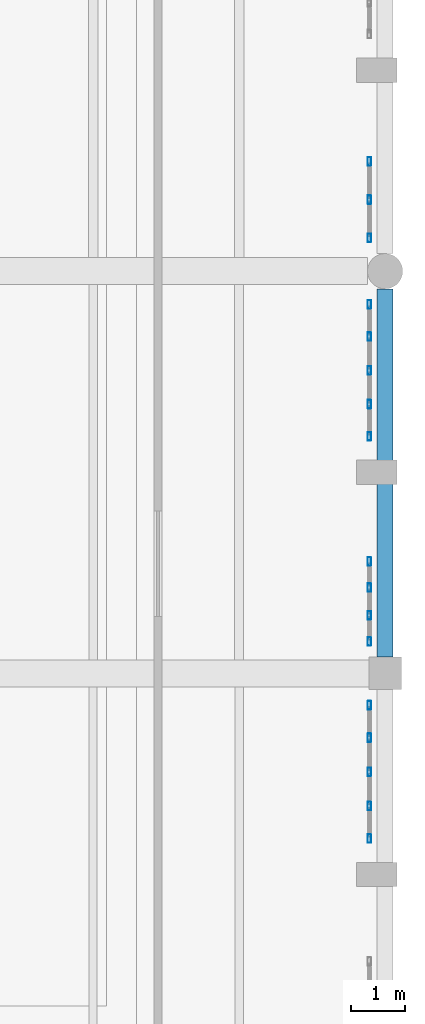
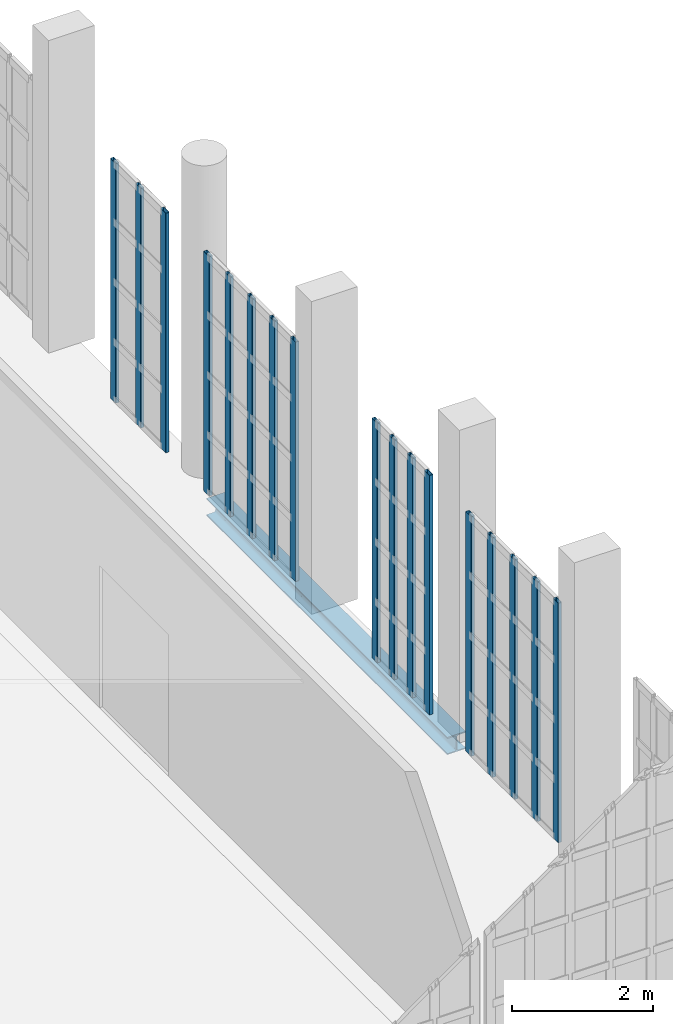
# One storey, part 286 of 372: 17 members, 1 beam, 4 elements without a shape of their own.
"""IFC4 building model written with IfcOpenShell, lengths in metres."""

from ifc_helpers import new_model, si_unit, direction, frame, origin, origin_2d, place, context, subcontext, project, spatial, hollow_rectangle, i_section, extrude, material, material_profile, profile_set, type_object, element, aggregate, save


model = new_model("IFC4")

# Units and contexts
model_context = context("Model", 3, precision=1e-05, world=origin(), true_north=direction((0.0, 1.0)))
body_context = subcontext(model_context, "Body", "Model", "MODEL_VIEW")
ifc_project = project(units=[si_unit("LENGTHUNIT", "METRE"), si_unit("AREAUNIT", "SQUARE_METRE"), si_unit("VOLUMEUNIT", "CUBIC_METRE"), si_unit("PLANEANGLEUNIT", "RADIAN"), si_unit("MASSUNIT", "GRAM", prefix="KILO")], contexts=[model_context])

# Site, building, storey
site_placement = place(None, origin())
site = spatial("IfcSite", under=ifc_project, at=site_placement, CompositionType="ELEMENT")
building_placement = place(site_placement, origin())
building = spatial("IfcBuilding", under=site, at=building_placement, Name="Kaelora Sail Theatre", CompositionType="ELEMENT")
storey_placement = place(building_placement, origin())
storey = spatial("IfcBuildingStorey", under=building, at=storey_placement, Name="L00", CompositionType="ELEMENT", Elevation=0.0)

# Curtain wall, members
ifc_material_1 = material(Name="Anodised aluminium and solar-control low-E IGU", Category="aluminium")
curtain_wall_type = type_object("IfcCurtainWallType", Name="ARC-CW-CW-FOY1", PredefinedType="NOTDEFINED", material=ifc_material_1)
curtain_wall_1_placement = place(storey_placement, origin())
curtain_wall_1 = element("IfcCurtainWall", 1, at=curtain_wall_1_placement, inside=storey, type_object=curtain_wall_type, Name="Glazed Colonnade/Courtyard Curtain Wall COLE-E-L00-03", PredefinedType="NOTDEFINED")
ifc_material_2 = material(Name="Anodised aluminium 6063-T6", Category="aluminium")
ifc_material_profile_1 = material_profile(ifc_material_2, hollow_rectangle(XDim=0.06005859375, YDim=0.159912109375, WallThickness=0.00390625, InnerFilletRadius=0.00390625, OuterFilletRadius=0.008056640625, at=origin_2d()), Name="ALU-MULL 60x160x4")
ifc_profile_set_1 = profile_set([ifc_material_profile_1], Name="Anodised aluminium 6063-T6")
member_type = type_object("IfcMemberType", Name="ARC-MEM-ML-160", PredefinedType="MULLION", material=ifc_profile_set_1)
member_1_placement = place(storey_placement, frame((163.2099609375, 35.64501953125, 0.0), z_axis=(0.0, 0.0, 1.0), x_axis=(-1.0, 0.0, 0.0)))
member_1 = element("IfcMember", 2, at=member_1_placement, type_object=member_type, Name="CW-FOY1 mullion 1", PredefinedType="MULLION", context=body_context, shape_type="SweptSolid", body=[
    extrude(hollow_rectangle(XDim=0.06005859375, YDim=0.159912109375, WallThickness=0.00390625, InnerFilletRadius=0.00390625, OuterFilletRadius=0.008056640625, at=origin_2d()), origin(), (0.0, 0.0, 1.0), 4.136962890625),
])
member_2_placement = place(storey_placement, frame((163.2099609375, 36.246337890625, 0.0), z_axis=(0.0, 0.0, 1.0), x_axis=(-1.0, 0.0, 0.0)))
member_2 = element("IfcMember", 3, at=member_2_placement, type_object=member_type, Name="CW-FOY1 mullion 2", PredefinedType="MULLION", context=body_context, shape_type="SweptSolid", body=[
    extrude(hollow_rectangle(XDim=0.06005859375, YDim=0.159912109375, WallThickness=0.00390625, InnerFilletRadius=0.00390625, OuterFilletRadius=0.008056640625, at=origin_2d()), origin(), (0.0, 0.0, 1.0), 4.136962890625),
])
member_3_placement = place(storey_placement, frame((163.2099609375, 36.87744140625, 0.0), z_axis=(0.0, 0.0, 1.0), x_axis=(-1.0, 0.0, 0.0)))
member_3 = element("IfcMember", 4, at=member_3_placement, type_object=member_type, Name="CW-FOY1 mullion 3", PredefinedType="MULLION", context=body_context, shape_type="SweptSolid", body=[
    extrude(hollow_rectangle(XDim=0.06005859375, YDim=0.159912109375, WallThickness=0.00390625, InnerFilletRadius=0.00390625, OuterFilletRadius=0.008056640625, at=origin_2d()), origin(), (0.0, 0.0, 1.0), 4.136962890625),
])
member_4_placement = place(storey_placement, frame((163.2099609375, 37.5087890625, 0.0), z_axis=(0.0, 0.0, 1.0), x_axis=(-1.0, 0.0, 0.0)))
member_4 = element("IfcMember", 5, at=member_4_placement, type_object=member_type, Name="CW-FOY1 mullion 4", PredefinedType="MULLION", context=body_context, shape_type="SweptSolid", body=[
    extrude(hollow_rectangle(XDim=0.06005859375, YDim=0.159912109375, WallThickness=0.00390625, InnerFilletRadius=0.00390625, OuterFilletRadius=0.008056640625, at=origin_2d()), origin(), (0.0, 0.0, 1.0), 4.136962890625),
])
member_5_placement = place(storey_placement, frame((163.2099609375, 38.110107421875, 0.0), z_axis=(0.0, 0.0, 1.0), x_axis=(-1.0, 0.0, 0.0)))
member_5 = element("IfcMember", 6, at=member_5_placement, type_object=member_type, Name="CW-FOY1 mullion 5", PredefinedType="MULLION", context=body_context, shape_type="SweptSolid", body=[
    extrude(hollow_rectangle(XDim=0.06005859375, YDim=0.159912109375, WallThickness=0.00390625, InnerFilletRadius=0.00390625, OuterFilletRadius=0.008056640625, at=origin_2d()), origin(), (0.0, 0.0, 1.0), 4.136962890625),
])
aggregate(curtain_wall_1, [member_1, member_2, member_3, member_4, member_5])

curtain_wall_2_placement = place(storey_placement, origin())
curtain_wall_2 = element("IfcCurtainWall", 7, at=curtain_wall_2_placement, inside=storey, type_object=curtain_wall_type, Name="Glazed Colonnade/Courtyard Curtain Wall COLE-E-L00-04", PredefinedType="NOTDEFINED")
member_6_placement = place(storey_placement, frame((163.2099609375, 39.2900390625, 0.0), z_axis=(0.0, 0.0, 1.0), x_axis=(-1.0, 0.0, 0.0)))
member_6 = element("IfcMember", 8, at=member_6_placement, type_object=member_type, Name="CW-FOY1 mullion 1", PredefinedType="MULLION", context=body_context, shape_type="SweptSolid", body=[
    extrude(hollow_rectangle(XDim=0.06005859375, YDim=0.159912109375, WallThickness=0.00390625, InnerFilletRadius=0.00390625, OuterFilletRadius=0.008056640625, at=origin_2d()), origin(), (0.0, 0.0, 1.0), 4.136962890625),
])
member_7_placement = place(storey_placement, frame((163.2099609375, 39.7734375, 0.0), z_axis=(0.0, 0.0, 1.0), x_axis=(-1.0, 0.0, 0.0)))
member_7 = element("IfcMember", 9, at=member_7_placement, type_object=member_type, Name="CW-FOY1 mullion 2", PredefinedType="MULLION", context=body_context, shape_type="SweptSolid", body=[
    extrude(hollow_rectangle(XDim=0.06005859375, YDim=0.159912109375, WallThickness=0.00390625, InnerFilletRadius=0.00390625, OuterFilletRadius=0.008056640625, at=origin_2d()), origin(), (0.0, 0.0, 1.0), 4.136962890625),
])
member_8_placement = place(storey_placement, frame((163.2099609375, 40.28662109375, 0.0), z_axis=(0.0, 0.0, 1.0), x_axis=(-1.0, 0.0, 0.0)))
member_8 = element("IfcMember", 10, at=member_8_placement, type_object=member_type, Name="CW-FOY1 mullion 3", PredefinedType="MULLION", context=body_context, shape_type="SweptSolid", body=[
    extrude(hollow_rectangle(XDim=0.06005859375, YDim=0.159912109375, WallThickness=0.00390625, InnerFilletRadius=0.00390625, OuterFilletRadius=0.008056640625, at=origin_2d()), origin(), (0.0, 0.0, 1.0), 4.136962890625),
])
member_9_placement = place(storey_placement, frame((163.2099609375, 40.77001953125, 0.0), z_axis=(0.0, 0.0, 1.0), x_axis=(-1.0, 0.0, 0.0)))
member_9 = element("IfcMember", 11, at=member_9_placement, type_object=member_type, Name="CW-FOY1 mullion 4", PredefinedType="MULLION", context=body_context, shape_type="SweptSolid", body=[
    extrude(hollow_rectangle(XDim=0.06005859375, YDim=0.159912109375, WallThickness=0.00390625, InnerFilletRadius=0.00390625, OuterFilletRadius=0.008056640625, at=origin_2d()), origin(), (0.0, 0.0, 1.0), 4.136962890625),
])
aggregate(curtain_wall_2, [member_6, member_7, member_8, member_9])

curtain_wall_3_placement = place(storey_placement, origin())
curtain_wall_3 = element("IfcCurtainWall", 12, at=curtain_wall_3_placement, inside=storey, type_object=curtain_wall_type, Name="Glazed Colonnade/Courtyard Curtain Wall COLE-E-L00-06", PredefinedType="NOTDEFINED")
member_10_placement = place(storey_placement, frame((163.2099609375, 43.0849609375, 0.0), z_axis=(0.0, 0.0, 1.0), x_axis=(-1.0, 0.0, 0.0)))
member_10 = element("IfcMember", 13, at=member_10_placement, type_object=member_type, Name="CW-FOY1 mullion 1", PredefinedType="MULLION", context=body_context, shape_type="SweptSolid", body=[
    extrude(hollow_rectangle(XDim=0.06005859375, YDim=0.159912109375, WallThickness=0.00390625, InnerFilletRadius=0.00390625, OuterFilletRadius=0.008056640625, at=origin_2d()), origin(), (0.0, 0.0, 1.0), 4.136962890625),
])
member_11_placement = place(storey_placement, frame((163.2099609375, 43.679931640625, 0.0), z_axis=(0.0, 0.0, 1.0), x_axis=(-1.0, 0.0, 0.0)))
member_11 = element("IfcMember", 14, at=member_11_placement, type_object=member_type, Name="CW-FOY1 mullion 2", PredefinedType="MULLION", context=body_context, shape_type="SweptSolid", body=[
    extrude(hollow_rectangle(XDim=0.06005859375, YDim=0.159912109375, WallThickness=0.00390625, InnerFilletRadius=0.00390625, OuterFilletRadius=0.008056640625, at=origin_2d()), origin(), (0.0, 0.0, 1.0), 4.136962890625),
])
member_12_placement = place(storey_placement, frame((163.2099609375, 44.304931640625, 0.0), z_axis=(0.0, 0.0, 1.0), x_axis=(-1.0, 0.0, 0.0)))
member_12 = element("IfcMember", 15, at=member_12_placement, type_object=member_type, Name="CW-FOY1 mullion 3", PredefinedType="MULLION", context=body_context, shape_type="SweptSolid", body=[
    extrude(hollow_rectangle(XDim=0.06005859375, YDim=0.159912109375, WallThickness=0.00390625, InnerFilletRadius=0.00390625, OuterFilletRadius=0.008056640625, at=origin_2d()), origin(), (0.0, 0.0, 1.0), 4.136962890625),
])
member_13_placement = place(storey_placement, frame((163.2099609375, 44.929931640625, 0.0), z_axis=(0.0, 0.0, 1.0), x_axis=(-1.0, 0.0, 0.0)))
member_13 = element("IfcMember", 16, at=member_13_placement, type_object=member_type, Name="CW-FOY1 mullion 4", PredefinedType="MULLION", context=body_context, shape_type="SweptSolid", body=[
    extrude(hollow_rectangle(XDim=0.06005859375, YDim=0.159912109375, WallThickness=0.00390625, InnerFilletRadius=0.00390625, OuterFilletRadius=0.008056640625, at=origin_2d()), origin(), (0.0, 0.0, 1.0), 4.136962890625),
])
member_14_placement = place(storey_placement, frame((163.2099609375, 45.52490234375, 0.0), z_axis=(0.0, 0.0, 1.0), x_axis=(-1.0, 0.0, 0.0)))
member_14 = element("IfcMember", 17, at=member_14_placement, type_object=member_type, Name="CW-FOY1 mullion 5", PredefinedType="MULLION", context=body_context, shape_type="SweptSolid", body=[
    extrude(hollow_rectangle(XDim=0.06005859375, YDim=0.159912109375, WallThickness=0.00390625, InnerFilletRadius=0.00390625, OuterFilletRadius=0.008056640625, at=origin_2d()), origin(), (0.0, 0.0, 1.0), 4.136962890625),
])
aggregate(curtain_wall_3, [member_10, member_11, member_12, member_13, member_14])

curtain_wall_4_placement = place(storey_placement, origin())
curtain_wall_4 = element("IfcCurtainWall", 18, at=curtain_wall_4_placement, inside=storey, type_object=curtain_wall_type, Name="Glazed Colonnade/Courtyard Curtain Wall COLE-E-L00-07", PredefinedType="NOTDEFINED")
member_15_placement = place(storey_placement, frame((163.2099609375, 46.7548828125, 0.0), z_axis=(0.0, 0.0, 1.0), x_axis=(-1.0, 0.0, 0.0)))
member_15 = element("IfcMember", 19, at=member_15_placement, type_object=member_type, Name="CW-FOY1 mullion 1", PredefinedType="MULLION", context=body_context, shape_type="SweptSolid", body=[
    extrude(hollow_rectangle(XDim=0.06005859375, YDim=0.159912109375, WallThickness=0.00390625, InnerFilletRadius=0.00390625, OuterFilletRadius=0.008056640625, at=origin_2d()), origin(), (0.0, 0.0, 1.0), 4.136962890625),
])
member_16_placement = place(storey_placement, frame((163.2099609375, 47.46240234375, 0.0), z_axis=(0.0, 0.0, 1.0), x_axis=(-1.0, 0.0, 0.0)))
member_16 = element("IfcMember", 20, at=member_16_placement, type_object=member_type, Name="CW-FOY1 mullion 2", PredefinedType="MULLION", context=body_context, shape_type="SweptSolid", body=[
    extrude(hollow_rectangle(XDim=0.06005859375, YDim=0.159912109375, WallThickness=0.00390625, InnerFilletRadius=0.00390625, OuterFilletRadius=0.008056640625, at=origin_2d()), origin(), (0.0, 0.0, 1.0), 4.136962890625),
])
member_17_placement = place(storey_placement, frame((163.2099609375, 48.169921875, 0.0), z_axis=(0.0, 0.0, 1.0), x_axis=(-1.0, 0.0, 0.0)))
member_17 = element("IfcMember", 21, at=member_17_placement, type_object=member_type, Name="CW-FOY1 mullion 3", PredefinedType="MULLION", context=body_context, shape_type="SweptSolid", body=[
    extrude(hollow_rectangle(XDim=0.06005859375, YDim=0.159912109375, WallThickness=0.00390625, InnerFilletRadius=0.00390625, OuterFilletRadius=0.008056640625, at=origin_2d()), origin(), (0.0, 0.0, 1.0), 4.136962890625),
])
aggregate(curtain_wall_4, [member_15, member_16, member_17])

# Beam
ifc_material_3 = material(Name="Steel S355", Category="steel")
ifc_material_profile_2 = material_profile(ifc_material_3, i_section(OverallWidth=0.300048828125, OverallDepth=0.300048828125, WebThickness=0.010986328125, FlangeThickness=0.01904296875, FilletRadius=0.027099609375, at=origin_2d()), Name="HEB 300")
ifc_profile_set_2 = profile_set([ifc_material_profile_2], Name="Steel S355")
beam_type = type_object("IfcBeamType", Name="STR-BM-SP-HEB300", PredefinedType="SPANDREL", material=ifc_profile_set_2)
beam_placement = place(storey_placement, frame((163.5, 39.0, -0.469970703125), z_axis=(0.0, 1.0, 0.0), x_axis=(-1.0, 0.0, 0.0)))
element("IfcBeam", 22, at=beam_placement, inside=storey, type_object=beam_type, Name="Primary beam 21 F-G (L00)", PredefinedType="SPANDREL", context=body_context, shape_type="SweptSolid", body=[
    extrude(i_section(OverallWidth=0.300048828125, OverallDepth=0.300048828125, WebThickness=0.010986328125, FlangeThickness=0.01904296875, FilletRadius=0.027099609375, at=origin_2d()), origin(), (0.0, 0.0, 1.0), 6.81494140625),
])

save(model, "model.ifc")
